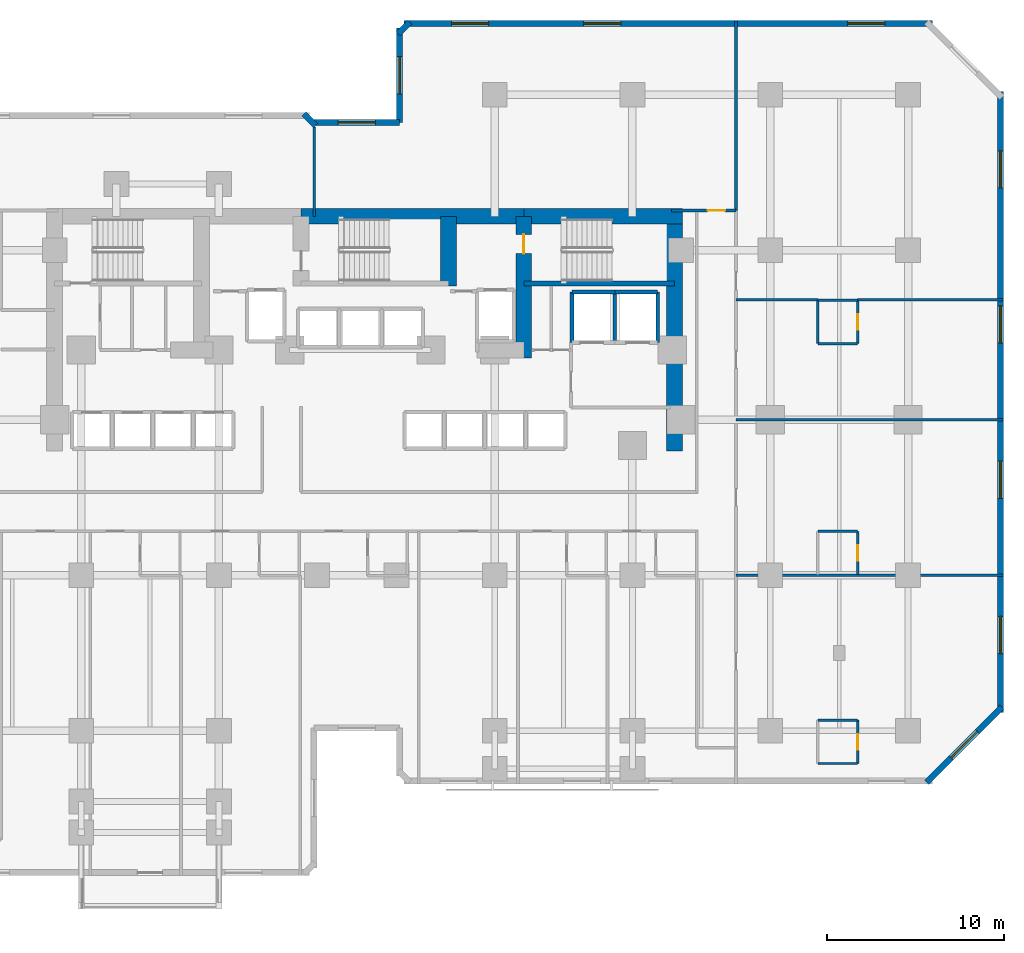
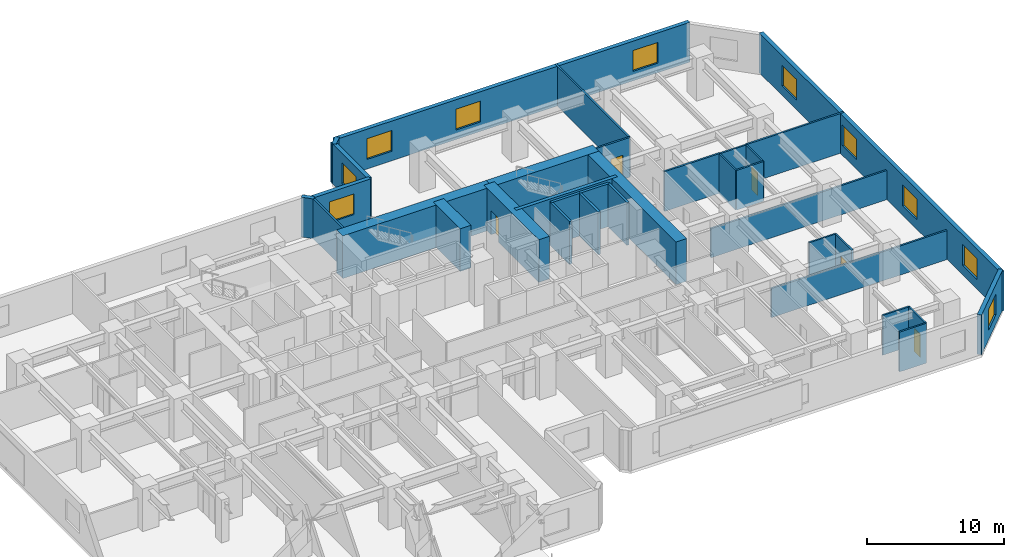
# One storey, part 9 of 12: 34 walls, 10 windows, 5 doors, 15 openings.
"""IFC4 building model written with IfcOpenShell, lengths in metres."""

from ifc_helpers import new_model, si_unit, direction, frame, frame_2d, origin, place, context, subcontext, project, spatial, rectangle, extrude, material, layer, layer_set, type_object, element, fill, save


model = new_model("IFC4")

# Units and contexts
model_context = context("Model", 3, precision=1e-05, world=origin(), true_north=direction((0.0, 1.0)))
body_context = subcontext(model_context, "Body", "Model", "MODEL_VIEW")
ifc_project = project(units=[si_unit("LENGTHUNIT", "METRE"), si_unit("AREAUNIT", "SQUARE_METRE"), si_unit("VOLUMEUNIT", "CUBIC_METRE"), si_unit("PLANEANGLEUNIT", "RADIAN"), si_unit("MASSUNIT", "GRAM", prefix="KILO")], contexts=[model_context])

# Site, building, storey
site_placement = place(None, origin())
site = spatial("IfcSite", under=ifc_project, at=site_placement, CompositionType="ELEMENT")
building_placement = place(site_placement, origin())
building = spatial("IfcBuilding", under=site, at=building_placement, Name="Kestravale Grand Hotel", CompositionType="ELEMENT")
storey_placement = place(building_placement, frame((0.0, 0.0, 41.199951171875)))
storey = spatial("IfcBuildingStorey", under=building, at=storey_placement, Name="L09", CompositionType="ELEMENT", Elevation=41.199951171875)

# Walls
ifc_material_1 = material(Name="Concrete f'c 70 MPa", Category="concrete")
ifc_layer_1 = layer(ifc_material_1, 0.89990234375)
ifc_layer_set_1 = layer_set([ifc_layer_1], Name="EW-CORE-900")
wall_type_1 = type_object("IfcWallType", Name="EW-CORE-900", PredefinedType="SHEAR", material=ifc_layer_set_1)
wall_1_placement = place(storey_placement, frame((35.85009765625, 40.320068359375, 0.0), z_axis=(0.0, 0.0, 1.0), x_axis=(1.0, 0.0, 0.0)))
element("IfcWall", 1, at=wall_1_placement, inside=storey, type_object=wall_type_1, Name="L09 core shear wall N2", PredefinedType="SHEAR", context=body_context, shape_type="SweptSolid", body=[
    extrude(rectangle(XDim=12.599853515625, YDim=0.89990234375, at=frame_2d((6.2998046875, 0.0))), origin(), (0.0, 0.0, 1.0), 3.800048828125),
])
wall_2_placement = place(storey_placement, frame((48.449951171875, 40.320068359375, 0.0), z_axis=(0.0, 0.0, 1.0), x_axis=(1.0, 0.0, 0.0)))
element("IfcWall", 2, at=wall_2_placement, inside=storey, type_object=wall_type_1, Name="L09 core shear wall N3", PredefinedType="SHEAR", context=body_context, shape_type="SweptSolid", body=[
    extrude(rectangle(XDim=8.969970703125, YDim=0.89990234375, at=frame_2d((4.48486328125, 0.0))), origin(), (0.0, 0.0, 1.0), 3.800048828125),
])
wall_3_placement = place(storey_placement, frame((56.969970703125, 27.050048828125, 0.0), z_axis=(0.0, 0.0, 1.0), x_axis=(0.0, 1.0, 0.0)))
element("IfcWall", 3, at=wall_3_placement, inside=storey, type_object=wall_type_1, Name="L09 core shear wall E1", PredefinedType="SHEAR", context=body_context, shape_type="SweptSolid", body=[
    extrude(rectangle(XDim=13.719970703125, YDim=0.89990234375, at=frame_2d((6.85986328125, 0.0))), origin(), (0.0, 0.0, 1.0), 3.800048828125),
])
wall_4_placement = place(storey_placement, frame((44.179931640625, 36.3701171875, 0.0), z_axis=(0.0, 0.0, 1.0), x_axis=(0.0, 1.0, 0.0)))
element("IfcWall", 4, at=wall_4_placement, inside=storey, type_object=wall_type_1, Name="L09 core shear wall X3", PredefinedType="SHEAR", context=body_context, shape_type="SweptSolid", body=[
    extrude(rectangle(XDim=3.949951171875, YDim=0.89990234375, at=frame_2d((1.97509765625, 0.0))), origin(), (0.0, 0.0, 1.0), 3.800048828125),
])

# Wall, opening, door
wall_5_placement = place(storey_placement, frame((48.449951171875, 32.300048828125, 0.0), z_axis=(0.0, 0.0, 1.0), x_axis=(0.0, 1.0, 0.0)))
wall_5 = element("IfcWall", 5, at=wall_5_placement, inside=storey, type_object=wall_type_1, Name="L09 core shear wall X4", PredefinedType="SHEAR", context=body_context, shape_type="SweptSolid", body=[
    extrude(rectangle(XDim=8.02001953125, YDim=0.89990234375, at=frame_2d((4.010009765625, 0.0))), origin(), (0.0, 0.0, 1.0), 3.800048828125),
])
opening_1_placement = place(wall_5_placement, frame((5.89990234375, 0.0, 0.0)))
opening_1 = element("IfcOpeningElement", 6, at=opening_1_placement, cuts=wall_5, Name="Opening D-ST-1100", PredefinedType="OPENING", context=body_context, shape_type="SweptSolid", body=[
    extrude(rectangle(XDim=1.10009765625, YDim=2.14990234375, at=frame_2d((0.550048828125, 1.074951171875))), frame((0.0, 0.4599609375, 0.0), z_axis=(0.0, -1.0, 0.0), x_axis=(1.0, 0.0, 0.0)), (0.0, 0.0, 1.0), 0.919921875),
])
ifc_material_2 = material(Name="Galvanised 90-minute fire-rated steel stair door", Category="steel")
door_type_1 = type_object("IfcDoorType", Name="D-ST-1100", OperationType="NOTDEFINED", PredefinedType="DOOR", material=ifc_material_2)
door_1_placement = place(opening_1_placement, origin())
door_1 = element("IfcDoor", 7, at=door_1_placement, inside=storey, type_object=door_type_1, Name="L09 Stair ST-3 FSAE fire door", OperationType="SINGLE_SWING_RIGHT", OverallHeight=2.14990234375, OverallWidth=1.10009765625, PredefinedType="DOOR", context=body_context, shape_type="SweptSolid", body=[
    extrude(rectangle(XDim=1.10009765625, YDim=2.14990234375, at=frame_2d((0.550048828125, 1.074951171875))), frame((0.0, 0.02490234375, 0.0), z_axis=(0.0, -1.0, 0.0), x_axis=(1.0, 0.0, 0.0)), (0.0, 0.0, 1.0), 0.050048828125),
])
fill(opening_1, door_1)

# Wall, opening, window
ifc_material_3 = material(Name="Precast concrete f'c 45 MPa", Category="concrete")
ifc_layer_2 = layer(ifc_material_3, 0.340087890625)
ifc_layer_set_2 = layer_set([ifc_layer_2], Name="EW-PREC-340")
wall_type_2 = type_object("IfcWallType", Name="EW-PREC-340", PredefinedType="SOLIDWALL", material=ifc_layer_set_2)
wall_6_placement = place(storey_placement, frame((71.25146484375, 8.2919921875, 0.0), z_axis=(0.0, 0.0, 1.0), x_axis=(0.707106781187, 0.707106781187, 0.0)))
wall_6 = element("IfcWall", 8, at=wall_6_placement, inside=storey, type_object=wall_type_2, Name="L09 fluted precast facade wall 8", PredefinedType="SOLIDWALL", context=body_context, shape_type="SweptSolid", body=[
    extrude(rectangle(XDim=6.019775390625, YDim=0.340087890625, at=frame_2d((3.009765625, 0.0))), origin(), (0.0, 0.0, 1.0), 3.5400390625),
])
opening_2_placement = place(wall_6_placement, frame((1.9599609375, 0.0, 0.85009765625)))
opening_2 = element("IfcOpeningElement", 9, at=opening_2_placement, cuts=wall_6, Name="Opening W-GUEST-2100", PredefinedType="OPENING", context=body_context, shape_type="SweptSolid", body=[
    extrude(rectangle(XDim=2.10009765625, YDim=1.85009765625, at=frame_2d((1.050048828125, 0.925048828125))), frame((0.0, 0.179931640625, 0.0), z_axis=(0.0, -1.0, 0.0), x_axis=(1.0, 0.0, 0.0)), (0.0, 0.0, 1.0), 0.360107421875),
])
ifc_material_4 = material(Name="Insulated low-E double glazing in aluminium frame", Category="aluminium")
window_type = type_object("IfcWindowType", Name="W-GUEST-2100", PartitioningType="DOUBLE_PANEL_VERTICAL", PredefinedType="WINDOW", material=ifc_material_4)
window_1_placement = place(opening_2_placement, origin())
window_1 = element("IfcWindow", 10, at=window_1_placement, inside=storey, type_object=window_type, Name="L09 exterior window 8.1", OverallHeight=1.85009765625, OverallWidth=2.10009765625, PartitioningType="SINGLE_PANEL", PredefinedType="WINDOW", context=body_context, shape_type="SweptSolid", body=[
    extrude(rectangle(XDim=2.10009765625, YDim=1.85009765625, at=frame_2d((1.050048828125, 0.925048828125))), frame((0.0, 0.030029296875, 0.0), z_axis=(0.0, -1.0, 0.0), x_axis=(1.0, 0.0, 0.0)), (0.0, 0.0, 1.0), 0.06005859375),
])
fill(opening_2, window_1)

# Wall, openings, windows
wall_7_placement = place(storey_placement, frame((75.429931640625, 12.22998046875, 0.0), z_axis=(0.0, 0.0, 1.0), x_axis=(0.0, 1.0, 0.0)))
wall_7 = element("IfcWall", 11, at=wall_7_placement, inside=storey, type_object=wall_type_2, Name="L09 fluted precast facade wall 9", PredefinedType="SOLIDWALL", context=body_context, shape_type="SweptSolid", body=[
    extrude(rectangle(XDim=35.14013671875, YDim=0.340087890625, at=frame_2d((17.570068359375, 0.0))), origin(), (0.0, 0.0, 1.0), 3.5400390625),
])
opening_3_placement = place(wall_7_placement, frame((3.342529296875, 0.0, 0.85009765625)))
opening_3 = element("IfcOpeningElement", 12, at=opening_3_placement, cuts=wall_7, Name="Opening W-GUEST-2100", PredefinedType="OPENING", context=body_context, shape_type="SweptSolid", body=[
    extrude(rectangle(XDim=2.10009765625, YDim=1.85009765625, at=frame_2d((1.050048828125, 0.925048828125))), frame((0.0, 0.179931640625, 0.0), z_axis=(0.0, -1.0, 0.0), x_axis=(1.0, 0.0, 0.0)), (0.0, 0.0, 1.0), 0.360107421875),
])
opening_4_placement = place(wall_7_placement, frame((12.12744140625, 0.0, 0.85009765625)))
opening_4 = element("IfcOpeningElement", 13, at=opening_4_placement, cuts=wall_7, Name="Opening W-GUEST-2100", PredefinedType="OPENING", context=body_context, shape_type="SweptSolid", body=[
    extrude(rectangle(XDim=2.10009765625, YDim=1.85009765625, at=frame_2d((1.050048828125, 0.925048828125))), frame((0.0, 0.179931640625, 0.0), z_axis=(0.0, -1.0, 0.0), x_axis=(1.0, 0.0, 0.0)), (0.0, 0.0, 1.0), 0.360107421875),
])
opening_5_placement = place(wall_7_placement, frame((20.91259765625, 0.0, 0.85009765625)))
opening_5 = element("IfcOpeningElement", 14, at=opening_5_placement, cuts=wall_7, Name="Opening W-GUEST-2100", PredefinedType="OPENING", context=body_context, shape_type="SweptSolid", body=[
    extrude(rectangle(XDim=2.10009765625, YDim=1.85009765625, at=frame_2d((1.050048828125, 0.925048828125))), frame((0.0, 0.179931640625, 0.0), z_axis=(0.0, -1.0, 0.0), x_axis=(1.0, 0.0, 0.0)), (0.0, 0.0, 1.0), 0.360107421875),
])
opening_6_placement = place(wall_7_placement, frame((29.697509765625, 0.0, 0.85009765625)))
opening_6 = element("IfcOpeningElement", 15, at=opening_6_placement, cuts=wall_7, Name="Opening W-GUEST-2100", PredefinedType="OPENING", context=body_context, shape_type="SweptSolid", body=[
    extrude(rectangle(XDim=2.10009765625, YDim=1.85009765625, at=frame_2d((1.050048828125, 0.925048828125))), frame((0.0, 0.179931640625, 0.0), z_axis=(0.0, -1.0, 0.0), x_axis=(1.0, 0.0, 0.0)), (0.0, 0.0, 1.0), 0.360107421875),
])
window_2_placement = place(opening_3_placement, origin())
window_2 = element("IfcWindow", 16, at=window_2_placement, inside=storey, type_object=window_type, Name="L09 exterior window 9.1", OverallHeight=1.85009765625, OverallWidth=2.10009765625, PartitioningType="SINGLE_PANEL", PredefinedType="WINDOW", context=body_context, shape_type="SweptSolid", body=[
    extrude(rectangle(XDim=2.10009765625, YDim=1.85009765625, at=frame_2d((1.050048828125, 0.925048828125))), frame((0.0, 0.030029296875, 0.0), z_axis=(0.0, -1.0, 0.0), x_axis=(1.0, 0.0, 0.0)), (0.0, 0.0, 1.0), 0.06005859375),
])
fill(opening_3, window_2)
window_3_placement = place(opening_4_placement, origin())
window_3 = element("IfcWindow", 17, at=window_3_placement, inside=storey, type_object=window_type, Name="L09 exterior window 9.2", OverallHeight=1.85009765625, OverallWidth=2.10009765625, PartitioningType="SINGLE_PANEL", PredefinedType="WINDOW", context=body_context, shape_type="SweptSolid", body=[
    extrude(rectangle(XDim=2.10009765625, YDim=1.85009765625, at=frame_2d((1.050048828125, 0.925048828125))), frame((0.0, 0.030029296875, 0.0), z_axis=(0.0, -1.0, 0.0), x_axis=(1.0, 0.0, 0.0)), (0.0, 0.0, 1.0), 0.06005859375),
])
fill(opening_4, window_3)
window_4_placement = place(opening_5_placement, origin())
window_4 = element("IfcWindow", 18, at=window_4_placement, inside=storey, type_object=window_type, Name="L09 exterior window 9.3", OverallHeight=1.85009765625, OverallWidth=2.10009765625, PartitioningType="SINGLE_PANEL", PredefinedType="WINDOW", context=body_context, shape_type="SweptSolid", body=[
    extrude(rectangle(XDim=2.10009765625, YDim=1.85009765625, at=frame_2d((1.050048828125, 0.925048828125))), frame((0.0, 0.030029296875, 0.0), z_axis=(0.0, -1.0, 0.0), x_axis=(1.0, 0.0, 0.0)), (0.0, 0.0, 1.0), 0.06005859375),
])
fill(opening_5, window_4)
window_5_placement = place(opening_6_placement, origin())
window_5 = element("IfcWindow", 19, at=window_5_placement, inside=storey, type_object=window_type, Name="L09 exterior window 9.4", OverallHeight=1.85009765625, OverallWidth=2.10009765625, PartitioningType="SINGLE_PANEL", PredefinedType="WINDOW", context=body_context, shape_type="SweptSolid", body=[
    extrude(rectangle(XDim=2.10009765625, YDim=1.85009765625, at=frame_2d((1.050048828125, 0.925048828125))), frame((0.0, 0.030029296875, 0.0), z_axis=(0.0, -1.0, 0.0), x_axis=(1.0, 0.0, 0.0)), (0.0, 0.0, 1.0), 0.06005859375),
])
fill(opening_6, window_5)

wall_8_placement = place(storey_placement, frame((71.570068359375, 51.22998046875, 0.0), z_axis=(0.0, 0.0, 1.0), x_axis=(-1.0, 0.0, 0.0)))
wall_8 = element("IfcWall", 20, at=wall_8_placement, inside=storey, type_object=wall_type_2, Name="L09 fluted precast facade wall 11", PredefinedType="SOLIDWALL", context=body_context, shape_type="SweptSolid", body=[
    extrude(rectangle(XDim=29.89013671875, YDim=0.340087890625, at=frame_2d((14.945068359375, 0.0))), origin(), (0.0, 0.0, 1.0), 3.5400390625),
])
opening_7_placement = place(wall_8_placement, frame((2.686279296875, 0.0, 0.85009765625)))
opening_7 = element("IfcOpeningElement", 21, at=opening_7_placement, cuts=wall_8, Name="Opening W-GUEST-2100", PredefinedType="OPENING", context=body_context, shape_type="SweptSolid", body=[
    extrude(rectangle(XDim=2.10009765625, YDim=1.85009765625, at=frame_2d((1.050048828125, 0.925048828125))), frame((0.0, 0.179931640625, 0.0), z_axis=(0.0, -1.0, 0.0), x_axis=(1.0, 0.0, 0.0)), (0.0, 0.0, 1.0), 0.360107421875),
])
opening_8_placement = place(wall_8_placement, frame((17.631103515625, 0.0, 0.85009765625)))
opening_8 = element("IfcOpeningElement", 22, at=opening_8_placement, cuts=wall_8, Name="Opening W-GUEST-2100", PredefinedType="OPENING", context=body_context, shape_type="SweptSolid", body=[
    extrude(rectangle(XDim=2.10009765625, YDim=1.85009765625, at=frame_2d((1.050048828125, 0.925048828125))), frame((0.0, 0.179931640625, 0.0), z_axis=(0.0, -1.0, 0.0), x_axis=(1.0, 0.0, 0.0)), (0.0, 0.0, 1.0), 0.360107421875),
])
opening_9_placement = place(wall_8_placement, frame((25.103759765625, 0.0, 0.85009765625)))
opening_9 = element("IfcOpeningElement", 23, at=opening_9_placement, cuts=wall_8, Name="Opening W-GUEST-2100", PredefinedType="OPENING", context=body_context, shape_type="SweptSolid", body=[
    extrude(rectangle(XDim=2.10009765625, YDim=1.85009765625, at=frame_2d((1.050048828125, 0.925048828125))), frame((0.0, 0.179931640625, 0.0), z_axis=(0.0, -1.0, 0.0), x_axis=(1.0, 0.0, 0.0)), (0.0, 0.0, 1.0), 0.360107421875),
])
window_6_placement = place(opening_7_placement, origin())
window_6 = element("IfcWindow", 24, at=window_6_placement, inside=storey, type_object=window_type, Name="L09 exterior window 11.1", OverallHeight=1.85009765625, OverallWidth=2.10009765625, PartitioningType="SINGLE_PANEL", PredefinedType="WINDOW", context=body_context, shape_type="SweptSolid", body=[
    extrude(rectangle(XDim=2.10009765625, YDim=1.85009765625, at=frame_2d((1.050048828125, 0.925048828125))), frame((0.0, 0.030029296875, 0.0), z_axis=(0.0, -1.0, 0.0), x_axis=(1.0, 0.0, 0.0)), (0.0, 0.0, 1.0), 0.06005859375),
])
fill(opening_7, window_6)
window_7_placement = place(opening_8_placement, origin())
window_7 = element("IfcWindow", 25, at=window_7_placement, inside=storey, type_object=window_type, Name="L09 exterior window 11.2", OverallHeight=1.85009765625, OverallWidth=2.10009765625, PartitioningType="SINGLE_PANEL", PredefinedType="WINDOW", context=body_context, shape_type="SweptSolid", body=[
    extrude(rectangle(XDim=2.10009765625, YDim=1.85009765625, at=frame_2d((1.050048828125, 0.925048828125))), frame((0.0, 0.030029296875, 0.0), z_axis=(0.0, -1.0, 0.0), x_axis=(1.0, 0.0, 0.0)), (0.0, 0.0, 1.0), 0.06005859375),
])
fill(opening_8, window_7)
window_8_placement = place(opening_9_placement, origin())
window_8 = element("IfcWindow", 26, at=window_8_placement, inside=storey, type_object=window_type, Name="L09 exterior window 11.3", OverallHeight=1.85009765625, OverallWidth=2.10009765625, PartitioningType="SINGLE_PANEL", PredefinedType="WINDOW", context=body_context, shape_type="SweptSolid", body=[
    extrude(rectangle(XDim=2.10009765625, YDim=1.85009765625, at=frame_2d((1.050048828125, 0.925048828125))), frame((0.0, 0.030029296875, 0.0), z_axis=(0.0, -1.0, 0.0), x_axis=(1.0, 0.0, 0.0)), (0.0, 0.0, 1.0), 0.06005859375),
])
fill(opening_9, window_8)

# Wall
wall_9_placement = place(storey_placement, frame((41.99853515625, 51.30810546875, 0.0), z_axis=(0.0, 0.0, 1.0), x_axis=(-0.707238225886, -0.706975312048, 0.0)))
element("IfcWall", 27, at=wall_9_placement, inside=storey, type_object=wall_type_2, Name="L09 fluted precast facade wall 12", PredefinedType="SOLIDWALL", context=body_context, shape_type="SweptSolid", body=[
    extrude(rectangle(XDim=0.9287109375, YDim=0.340087890625, at=frame_2d((0.46435546875, 0.0))), origin(), (0.0, 0.0, 1.0), 3.5400390625),
])

# Wall, opening, window
wall_10_placement = place(storey_placement, frame((41.419921875, 50.969970703125, 0.0), z_axis=(0.0, 0.0, 1.0), x_axis=(0.0, -1.0, 0.0)))
wall_10 = element("IfcWall", 28, at=wall_10_placement, inside=storey, type_object=wall_type_2, Name="L09 fluted precast facade wall 13", PredefinedType="SOLIDWALL", context=body_context, shape_type="SweptSolid", body=[
    extrude(rectangle(XDim=5.340087890625, YDim=0.340087890625, at=frame_2d((2.669921875, 0.0))), origin(), (0.0, 0.0, 1.0), 3.5400390625),
])
opening_10_placement = place(wall_10_placement, frame((1.6201171875, 0.0, 0.85009765625)))
opening_10 = element("IfcOpeningElement", 29, at=opening_10_placement, cuts=wall_10, Name="Opening W-GUEST-2100", PredefinedType="OPENING", context=body_context, shape_type="SweptSolid", body=[
    extrude(rectangle(XDim=2.10009765625, YDim=1.85009765625, at=frame_2d((1.050048828125, 0.925048828125))), frame((0.0, 0.179931640625, 0.0), z_axis=(0.0, -1.0, 0.0), x_axis=(1.0, 0.0, 0.0)), (0.0, 0.0, 1.0), 0.360107421875),
])
window_9_placement = place(opening_10_placement, origin())
window_9 = element("IfcWindow", 30, at=window_9_placement, inside=storey, type_object=window_type, Name="L09 exterior window 13.1", OverallHeight=1.85009765625, OverallWidth=2.10009765625, PartitioningType="SINGLE_PANEL", PredefinedType="WINDOW", context=body_context, shape_type="SweptSolid", body=[
    extrude(rectangle(XDim=2.10009765625, YDim=1.85009765625, at=frame_2d((1.050048828125, 0.925048828125))), frame((0.0, 0.030029296875, 0.0), z_axis=(0.0, -1.0, 0.0), x_axis=(1.0, 0.0, 0.0)), (0.0, 0.0, 1.0), 0.06005859375),
])
fill(opening_10, window_9)

wall_11_placement = place(storey_placement, frame((41.419921875, 45.6298828125, 0.0), z_axis=(0.0, 0.0, 1.0), x_axis=(-1.0, 0.0, 0.0)))
wall_11 = element("IfcWall", 31, at=wall_11_placement, inside=storey, type_object=wall_type_2, Name="L09 fluted precast facade wall 14", PredefinedType="SOLIDWALL", context=body_context, shape_type="SweptSolid", body=[
    extrude(rectangle(XDim=4.83984375, YDim=0.340087890625, at=frame_2d((2.419921875, 0.0))), origin(), (0.0, 0.0, 1.0), 3.5400390625),
])
opening_11_placement = place(wall_11_placement, frame((1.3701171875, 0.0, 0.85009765625)))
opening_11 = element("IfcOpeningElement", 32, at=opening_11_placement, cuts=wall_11, Name="Opening W-GUEST-2100", PredefinedType="OPENING", context=body_context, shape_type="SweptSolid", body=[
    extrude(rectangle(XDim=2.10009765625, YDim=1.85009765625, at=frame_2d((1.050048828125, 0.925048828125))), frame((0.0, 0.179931640625, 0.0), z_axis=(0.0, -1.0, 0.0), x_axis=(1.0, 0.0, 0.0)), (0.0, 0.0, 1.0), 0.360107421875),
])
window_10_placement = place(opening_11_placement, origin())
window_10 = element("IfcWindow", 33, at=window_10_placement, inside=storey, type_object=window_type, Name="L09 exterior window 14.1", OverallHeight=1.85009765625, OverallWidth=2.10009765625, PartitioningType="SINGLE_PANEL", PredefinedType="WINDOW", context=body_context, shape_type="SweptSolid", body=[
    extrude(rectangle(XDim=2.10009765625, YDim=1.85009765625, at=frame_2d((1.050048828125, 0.925048828125))), frame((0.0, 0.030029296875, 0.0), z_axis=(0.0, -1.0, 0.0), x_axis=(1.0, 0.0, 0.0)), (0.0, 0.0, 1.0), 0.06005859375),
])
fill(opening_11, window_10)

# Walls
wall_12_placement = place(storey_placement, frame((36.658203125, 45.451416015625, 0.0), z_axis=(0.0, 0.0, 1.0), x_axis=(-0.707106781187, 0.707106781187, 0.0)))
element("IfcWall", 34, at=wall_12_placement, inside=storey, type_object=wall_type_2, Name="L09 fluted precast facade wall 16", PredefinedType="SOLIDWALL", context=body_context, shape_type="SweptSolid", body=[
    extrude(rectangle(XDim=0.9287109375, YDim=0.340087890625, at=frame_2d((0.46435546875, 0.0))), origin(), (0.0, 0.0, 1.0), 3.5400390625),
])
ifc_material_5 = material(Name="Concrete f'c 45 MPa", Category="concrete")
ifc_layer_3 = layer(ifc_material_5, 0.300048828125)
ifc_layer_set_3 = layer_set([ifc_layer_3], Name="EW-STAIR-300")
wall_type_3 = type_object("IfcWallType", Name="EW-STAIR-300", PredefinedType="SHEAR", material=ifc_layer_set_3)
wall_13_placement = place(storey_placement, frame((48.449951171875, 36.52001953125, 0.0), z_axis=(0.0, 0.0, 1.0), x_axis=(1.0, 0.0, 0.0)))
element("IfcWall", 35, at=wall_13_placement, inside=storey, type_object=wall_type_3, Name="L09 stair enclosure shear wall SST3", PredefinedType="SHEAR", context=body_context, shape_type="SweptSolid", body=[
    extrude(rectangle(XDim=8.52001953125, YDim=0.300048828125, at=frame_2d((4.260009765625, 0.0))), origin(), (0.0, 0.0, 1.0), 3.800048828125),
])

# Wall, opening, door
ifc_material_6 = material(Name="Moisture-resistant tile-backer plumbing chase wall", Category="other")
ifc_layer_4 = layer(ifc_material_6, 0.139892578125)
ifc_layer_set_4 = layer_set([ifc_layer_4], Name="IW-PLB-140")
wall_type_4 = type_object("IfcWallType", Name="IW-PLB-140", PredefinedType="PLUMBINGWALL", material=ifc_layer_set_4)
wall_14_placement = place(storey_placement, frame((67.35009765625, 9.35009765625, 0.0), z_axis=(0.0, 0.0, 1.0), x_axis=(0.0, 1.0, 0.0)))
wall_14 = element("IfcWall", 36, at=wall_14_placement, inside=storey, type_object=wall_type_4, Name="W-L09-U10-BE", PredefinedType="PLUMBINGWALL", context=body_context, shape_type="SweptSolid", body=[
    extrude(rectangle(XDim=2.449951171875, YDim=0.139892578125, at=frame_2d((1.22509765625, 0.0))), origin(), (0.0, 0.0, 1.0), 3.5400390625),
])
opening_12_placement = place(wall_14_placement, frame((0.784912109375, 0.0, 0.0)))
opening_12 = element("IfcOpeningElement", 37, at=opening_12_placement, cuts=wall_14, Name="Opening D-BATH-880", PredefinedType="OPENING", context=body_context, shape_type="SweptSolid", body=[
    extrude(rectangle(XDim=0.8798828125, YDim=2.050048828125, at=frame_2d((0.43994140625, 1.02490234375))), frame((0.0, 0.079833984375, 0.0), z_axis=(0.0, -1.0, 0.0), x_axis=(1.0, 0.0, 0.0)), (0.0, 0.0, 1.0), 0.159912109375),
])
ifc_material_7 = material(Name="Moisture-sealed walnut en-suite bathroom door", Category="wood")
door_type_2 = type_object("IfcDoorType", Name="D-BATH-880", OperationType="NOTDEFINED", PredefinedType="DOOR", material=ifc_material_7)
door_2_placement = place(opening_12_placement, origin())
door_2 = element("IfcDoor", 38, at=door_2_placement, inside=storey, type_object=door_type_2, Name="D-L09-U10-BATH", OperationType="SINGLE_SWING_RIGHT", OverallHeight=2.050048828125, OverallWidth=0.8798828125, PredefinedType="DOOR", context=body_context, shape_type="SweptSolid", body=[
    extrude(rectangle(XDim=0.8798828125, YDim=2.050048828125, at=frame_2d((0.43994140625, 1.02490234375))), frame((0.0, 0.02490234375, 0.0), z_axis=(0.0, -1.0, 0.0), x_axis=(1.0, 0.0, 0.0)), (0.0, 0.0, 1.0), 0.050048828125),
])
fill(opening_12, door_2)

# Walls
for number, where, z_axis, x_axis, name in (
    (39, (65.10009765625, 9.35009765625, 0.0), (0.0, 0.0, 1.0), (1.0, 0.0, 0.0), "W-L09-U10-BS"),
    (40, (65.10009765625, 11.800048828125, 0.0), (0.0, 0.0, 1.0), (1.0, 0.0, 0.0), "W-L09-U10-BN"),
):
    element("IfcWall", number, at=place(storey_placement, frame(where, z_axis=z_axis, x_axis=x_axis)), inside=storey, type_object=wall_type_4, Name=name, PredefinedType="PLUMBINGWALL", context=body_context, shape_type="SweptSolid", body=[
        extrude(rectangle(XDim=2.25, YDim=0.139892578125, at=frame_2d((1.125, 0.0))), origin(), (0.0, 0.0, 1.0), 3.5400390625),
    ])

# Wall, opening, door
wall_15_placement = place(storey_placement, frame((67.35009765625, 20.0400390625, 0.0), z_axis=(0.0, 0.0, 1.0), x_axis=(0.0, 1.0, 0.0)))
wall_15 = element("IfcWall", 41, at=wall_15_placement, inside=storey, type_object=wall_type_4, Name="W-L09-U11-BE", PredefinedType="PLUMBINGWALL", context=body_context, shape_type="SweptSolid", body=[
    extrude(rectangle(XDim=2.449951171875, YDim=0.139892578125, at=frame_2d((1.22509765625, 0.0))), origin(), (0.0, 0.0, 1.0), 3.5400390625),
])
opening_13_placement = place(wall_15_placement, frame((0.784912109375, 0.0, 0.0)))
opening_13 = element("IfcOpeningElement", 42, at=opening_13_placement, cuts=wall_15, Name="Opening D-BATH-880", PredefinedType="OPENING", context=body_context, shape_type="SweptSolid", body=[
    extrude(rectangle(XDim=0.8798828125, YDim=2.050048828125, at=frame_2d((0.43994140625, 1.02490234375))), frame((0.0, 0.079833984375, 0.0), z_axis=(0.0, -1.0, 0.0), x_axis=(1.0, 0.0, 0.0)), (0.0, 0.0, 1.0), 0.159912109375),
])
door_3_placement = place(opening_13_placement, origin())
door_3 = element("IfcDoor", 43, at=door_3_placement, inside=storey, type_object=door_type_2, Name="D-L09-U11-BATH", OperationType="SINGLE_SWING_RIGHT", OverallHeight=2.050048828125, OverallWidth=0.8798828125, PredefinedType="DOOR", context=body_context, shape_type="SweptSolid", body=[
    extrude(rectangle(XDim=0.8798828125, YDim=2.050048828125, at=frame_2d((0.43994140625, 1.02490234375))), frame((0.0, 0.02490234375, 0.0), z_axis=(0.0, -1.0, 0.0), x_axis=(1.0, 0.0, 0.0)), (0.0, 0.0, 1.0), 0.050048828125),
])
fill(opening_13, door_3)

# Walls
wall_16_placement = place(storey_placement, frame((65.10009765625, 22.489990234375, 0.0), z_axis=(0.0, 0.0, 1.0), x_axis=(1.0, 0.0, 0.0)))
element("IfcWall", 44, at=wall_16_placement, inside=storey, type_object=wall_type_4, Name="W-L09-U11-BN", PredefinedType="PLUMBINGWALL", context=body_context, shape_type="SweptSolid", body=[
    extrude(rectangle(XDim=2.25, YDim=0.139892578125, at=frame_2d((1.125, 0.0))), origin(), (0.0, 0.0, 1.0), 3.5400390625),
])
wall_17_placement = place(storey_placement, frame((65.10009765625, 33.110107421875, 0.0), z_axis=(0.0, 0.0, 1.0), x_axis=(0.0, 1.0, 0.0)))
element("IfcWall", 45, at=wall_17_placement, inside=storey, type_object=wall_type_4, Name="W-L09-U12-BW", PredefinedType="PLUMBINGWALL", context=body_context, shape_type="SweptSolid", body=[
    extrude(rectangle(XDim=2.449951171875, YDim=0.139892578125, at=frame_2d((1.22509765625, 0.0))), origin(), (0.0, 0.0, 1.0), 3.5400390625),
])

# Wall, opening, door
wall_18_placement = place(storey_placement, frame((67.35009765625, 33.110107421875, 0.0), z_axis=(0.0, 0.0, 1.0), x_axis=(0.0, 1.0, 0.0)))
wall_18 = element("IfcWall", 46, at=wall_18_placement, inside=storey, type_object=wall_type_4, Name="W-L09-U12-BE", PredefinedType="PLUMBINGWALL", context=body_context, shape_type="SweptSolid", body=[
    extrude(rectangle(XDim=2.449951171875, YDim=0.139892578125, at=frame_2d((1.22509765625, 0.0))), origin(), (0.0, 0.0, 1.0), 3.5400390625),
])
opening_14_placement = place(wall_18_placement, frame((0.784912109375, 0.0, 0.0)))
opening_14 = element("IfcOpeningElement", 47, at=opening_14_placement, cuts=wall_18, Name="Opening D-BATH-880", PredefinedType="OPENING", context=body_context, shape_type="SweptSolid", body=[
    extrude(rectangle(XDim=0.8798828125, YDim=2.050048828125, at=frame_2d((0.43994140625, 1.02490234375))), frame((0.0, 0.079833984375, 0.0), z_axis=(0.0, -1.0, 0.0), x_axis=(1.0, 0.0, 0.0)), (0.0, 0.0, 1.0), 0.159912109375),
])
door_4_placement = place(opening_14_placement, origin())
door_4 = element("IfcDoor", 48, at=door_4_placement, inside=storey, type_object=door_type_2, Name="D-L09-U12-BATH", OperationType="SINGLE_SWING_RIGHT", OverallHeight=2.050048828125, OverallWidth=0.8798828125, PredefinedType="DOOR", context=body_context, shape_type="SweptSolid", body=[
    extrude(rectangle(XDim=0.8798828125, YDim=2.050048828125, at=frame_2d((0.43994140625, 1.02490234375))), frame((0.0, 0.02490234375, 0.0), z_axis=(0.0, -1.0, 0.0), x_axis=(1.0, 0.0, 0.0)), (0.0, 0.0, 1.0), 0.050048828125),
])
fill(opening_14, door_4)

# Walls
for number, where, z_axis, x_axis, name in (
    (49, (65.10009765625, 33.110107421875, 0.0), (0.0, 0.0, 1.0), (1.0, 0.0, 0.0), "W-L09-U12-BS"),
    (50, (65.10009765625, 35.56005859375, 0.0), (0.0, 0.0, 1.0), (1.0, 0.0, 0.0), "W-L09-U12-BN"),
):
    element("IfcWall", number, at=place(storey_placement, frame(where, z_axis=z_axis, x_axis=x_axis)), inside=storey, type_object=wall_type_4, Name=name, PredefinedType="PLUMBINGWALL", context=body_context, shape_type="SweptSolid", body=[
        extrude(rectangle(XDim=2.25, YDim=0.139892578125, at=frame_2d((1.125, 0.0))), origin(), (0.0, 0.0, 1.0), 3.5400390625),
    ])
ifc_material_8 = material(Name="Concrete f'c 45 MPa", Category="concrete")
ifc_layer_5 = layer(ifc_material_8, 0.199951171875)
ifc_layer_set_5 = layer_set([ifc_layer_5], Name="IW-SHAFT-200")
wall_type_5 = type_object("IfcWallType", Name="IW-SHAFT-200", PredefinedType="SHEAR", material=ifc_layer_set_5)
for number, where, z_axis, x_axis, name in (
    (51, (51.179931640625, 33.169921875, 0.0), (0.0, 0.0, 1.0), (0.0, 1.0, 0.0), "L09 SL-1 west shaft wall"),
    (52, (53.60009765625, 33.169921875, 0.0), (0.0, 0.0, 1.0), (0.0, 1.0, 0.0), "L09 SL-2 west shaft wall"),
    (53, (56.02001953125, 33.169921875, 0.0), (0.0, 0.0, 1.0), (0.0, 1.0, 0.0), "L09 SL-2 east shaft wall"),
):
    element("IfcWall", number, at=place(storey_placement, frame(where, z_axis=z_axis, x_axis=x_axis)), inside=storey, type_object=wall_type_5, Name=name, PredefinedType="SHEAR", context=body_context, shape_type="SweptSolid", body=[
        extrude(rectangle(XDim=2.860107421875, YDim=0.199951171875, at=frame_2d((1.43017578125, 0.0))), origin(), (0.0, 0.0, 1.0), 3.800048828125),
    ])
ifc_material_9 = material(Name="Concrete f'c 45 MPa", Category="concrete")
ifc_layer_6 = layer(ifc_material_9, 0.219970703125)
ifc_layer_set_6 = layer_set([ifc_layer_6], Name="IW-SHAFT-220")
wall_type_6 = type_object("IfcWallType", Name="IW-SHAFT-220", PredefinedType="SHEAR", material=ifc_layer_set_6)
wall_19_placement = place(storey_placement, frame((51.179931640625, 36.030029296875, 0.0), z_axis=(0.0, 0.0, 1.0), x_axis=(1.0, 0.0, 0.0)))
element("IfcWall", 54, at=wall_19_placement, inside=storey, type_object=wall_type_6, Name="L09 SL-1 north shaft wall", PredefinedType="SHEAR", context=body_context, shape_type="SweptSolid", body=[
    extrude(rectangle(XDim=2.420166015625, YDim=0.219970703125, at=frame_2d((1.2099609375, 0.0))), origin(), (0.0, 0.0, 1.0), 3.800048828125),
])
wall_20_placement = place(storey_placement, frame((53.60009765625, 36.030029296875, 0.0), z_axis=(0.0, 0.0, 1.0), x_axis=(1.0, 0.0, 0.0)))
element("IfcWall", 55, at=wall_20_placement, inside=storey, type_object=wall_type_6, Name="L09 SL-2 north shaft wall", PredefinedType="SHEAR", context=body_context, shape_type="SweptSolid", body=[
    extrude(rectangle(XDim=2.419921875, YDim=0.219970703125, at=frame_2d((1.2099609375, 0.0))), origin(), (0.0, 0.0, 1.0), 3.800048828125),
])

# Wall, opening, door
ifc_material_10 = material(Name="Double-stud STC 52 acoustic demising partition", Category="other")
ifc_layer_7 = layer(ifc_material_10, 0.14990234375)
ifc_layer_set_7 = layer_set([ifc_layer_7], Name="IW-UNIT-150")
wall_type_7 = type_object("IfcWallType", Name="IW-UNIT-150", PredefinedType="PARTITIONING", material=ifc_layer_set_7)
wall_21_placement = place(storey_placement, frame((56.800048828125, 40.64990234375, 0.0), z_axis=(0.0, 0.0, 1.0), x_axis=(1.0, 0.0, 0.0)))
wall_21 = element("IfcWall", 56, at=wall_21_placement, inside=storey, type_object=wall_type_7, Name="W-L09-SE-N", PredefinedType="PARTITIONING", context=body_context, shape_type="SweptSolid", body=[
    extrude(rectangle(XDim=3.659912109375, YDim=0.14990234375, at=frame_2d((1.830078125, 0.0))), origin(), (0.0, 0.0, 1.0), 3.5400390625),
])
opening_15_placement = place(wall_21_placement, frame((2.050048828125, 0.0, 0.0)))
opening_15 = element("IfcOpeningElement", 57, at=opening_15_placement, cuts=wall_21, Name="Opening D-GUEST-1000", PredefinedType="OPENING", context=body_context, shape_type="SweptSolid", body=[
    extrude(rectangle(XDim=1.0, YDim=2.14990234375, at=frame_2d((0.5, 1.074951171875))), frame((0.0, 0.0849609375, 0.0), z_axis=(0.0, -1.0, 0.0), x_axis=(1.0, 0.0, 0.0)), (0.0, 0.0, 1.0), 0.169921875),
])
ifc_material_11 = material(Name="Accessible walnut veneer hotel entrance fire door", Category="wood")
door_type_3 = type_object("IfcDoorType", Name="D-GUEST-1000", OperationType="NOTDEFINED", PredefinedType="DOOR", material=ifc_material_11)
door_5_placement = place(opening_15_placement, origin())
door_5 = element("IfcDoor", 58, at=door_5_placement, inside=storey, type_object=door_type_3, Name="L09 NE Gallery Door", OperationType="SINGLE_SWING_LEFT", OverallHeight=2.14990234375, OverallWidth=1.0, PredefinedType="DOOR", context=body_context, shape_type="SweptSolid", body=[
    extrude(rectangle(XDim=1.0, YDim=2.14990234375, at=frame_2d((0.5, 1.074951171875))), frame((0.0, 0.02490234375, 0.0), z_axis=(0.0, -1.0, 0.0), x_axis=(1.0, 0.0, 0.0)), (0.0, 0.0, 1.0), 0.050048828125),
])
fill(opening_15, door_5)

# Walls
wall_22_placement = place(storey_placement, frame((36.60009765625, 40.320068359375, 0.0), z_axis=(0.0, 0.0, 1.0), x_axis=(0.0, 1.0, 0.0)))
element("IfcWall", 59, at=wall_22_placement, inside=storey, type_object=wall_type_7, Name="W-L09-NGM", PredefinedType="PARTITIONING", context=body_context, shape_type="SweptSolid", body=[
    extrude(rectangle(XDim=5.044921875, YDim=0.14990234375, at=frame_2d((2.5224609375, 0.0))), origin(), (0.0, 0.0, 1.0), 3.5400390625),
])
wall_23_placement = place(storey_placement, frame((60.4599609375, 40.64990234375, 0.0), z_axis=(0.0, 0.0, 1.0), x_axis=(0.0, 1.0, 0.0)))
element("IfcWall", 60, at=wall_23_placement, inside=storey, type_object=wall_type_7, Name="W-L09-NGE-E", PredefinedType="PARTITIONING", context=body_context, shape_type="SweptSolid", body=[
    extrude(rectangle(XDim=10.72998046875, YDim=0.14990234375, at=frame_2d((5.364990234375, 0.0))), origin(), (0.0, 0.0, 1.0), 3.5400390625),
])
for number, where, z_axis, x_axis, name in (
    (61, (60.4599609375, 20.0, 0.0), (0.0, 0.0, 1.0), (1.0, 0.0, 0.0), "W-L09-EW-1"),
    (62, (60.4599609375, 28.800048828125, 0.0), (0.0, 0.0, 1.0), (1.0, 0.0, 0.0), "W-L09-EW-2"),
):
    element("IfcWall", number, at=place(storey_placement, frame(where, z_axis=z_axis, x_axis=x_axis)), inside=storey, type_object=wall_type_7, Name=name, PredefinedType="PARTITIONING", context=body_context, shape_type="SweptSolid", body=[
        extrude(rectangle(XDim=15.1201171875, YDim=0.14990234375, at=frame_2d((7.56005859375, 0.0))), origin(), (0.0, 0.0, 1.0), 2.593017578125),
    ])
wall_24_placement = place(storey_placement, frame((60.4599609375, 35.60009765625, 0.0), z_axis=(0.0, 0.0, 1.0), x_axis=(1.0, 0.0, 0.0)))
element("IfcWall", 63, at=wall_24_placement, inside=storey, type_object=wall_type_7, Name="W-L09-EW-3", PredefinedType="PARTITIONING", context=body_context, shape_type="SweptSolid", body=[
    extrude(rectangle(XDim=4.64013671875, YDim=0.14990234375, at=frame_2d((2.320068359375, 0.0))), origin(), (0.0, 0.0, 1.0), 3.5400390625),
])
wall_25_placement = place(storey_placement, frame((67.35009765625, 35.60009765625, 0.0), z_axis=(0.0, 0.0, 1.0), x_axis=(1.0, 0.0, 0.0)))
element("IfcWall", 64, at=wall_25_placement, inside=storey, type_object=wall_type_7, Name="W-L09-EW-3", PredefinedType="PARTITIONING", context=body_context, shape_type="SweptSolid", body=[
    extrude(rectangle(XDim=8.22998046875, YDim=0.14990234375, at=frame_2d((4.114990234375, 0.0))), origin(), (0.0, 0.0, 1.0), 3.5400390625),
])

save(model, "model.ifc")
